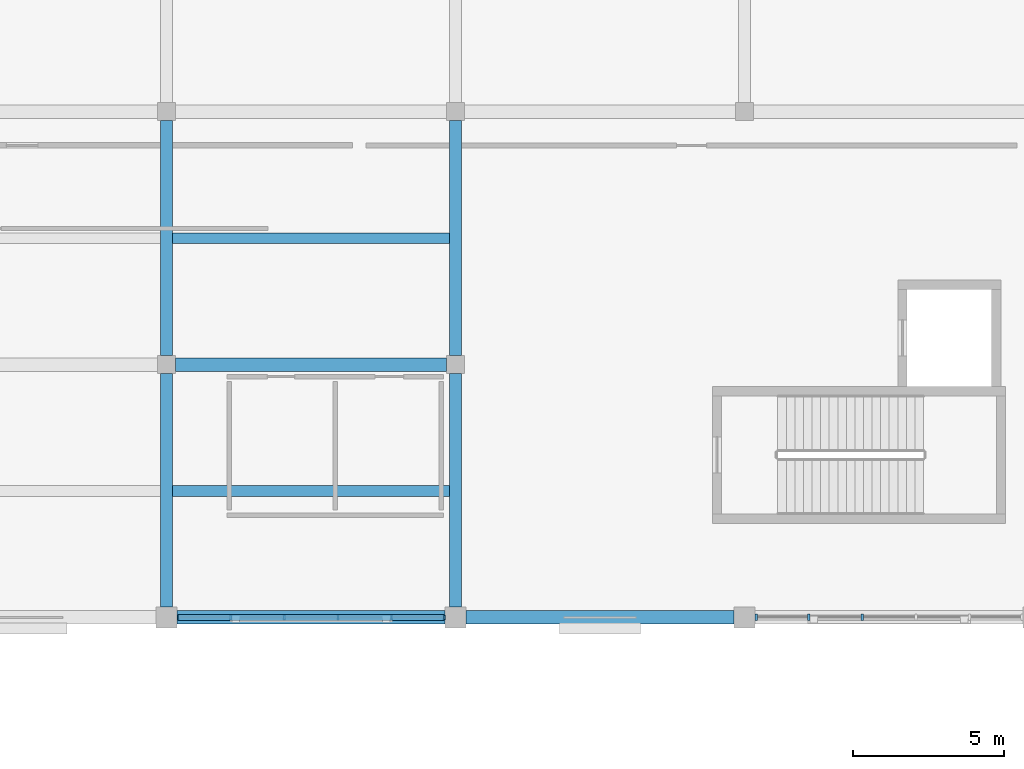
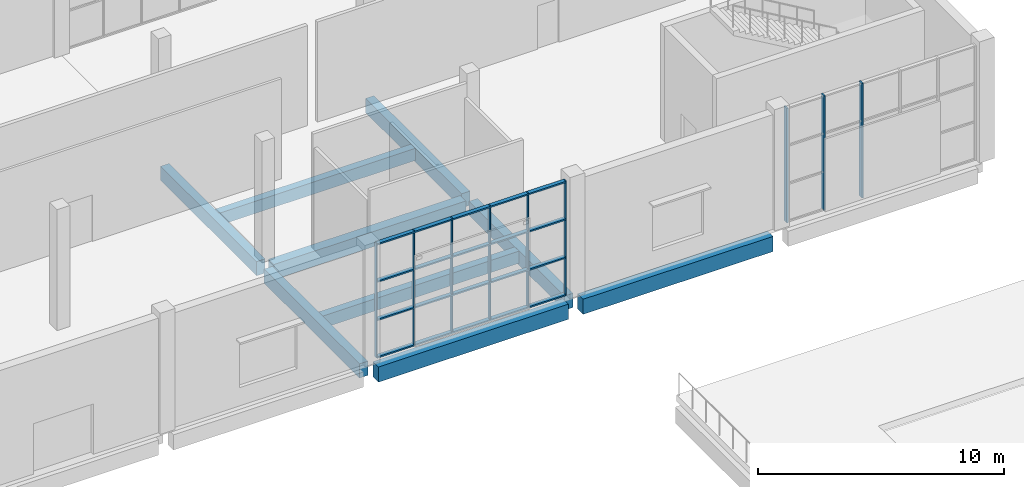
# One storey, part 32 of 84: 13 members, 9 beams, 2 elements without a shape of their own.
"""IFC4 building model written with IfcOpenShell, lengths in metres."""

from ifc_helpers import new_model, si_unit, direction, frame, origin, origin_2d, place, context, subcontext, project, spatial, rectangle, extrude, material, material_profile, profile_set, type_object, element, aggregate, save


model = new_model("IFC4")

# Units and contexts
model_context = context("Model", 3, precision=1e-05, world=origin(), true_north=direction((0.0, 1.0)))
body_context = subcontext(model_context, "Body", "Model", "MODEL_VIEW")
ifc_project = project(units=[si_unit("LENGTHUNIT", "METRE"), si_unit("AREAUNIT", "SQUARE_METRE"), si_unit("VOLUMEUNIT", "CUBIC_METRE"), si_unit("PLANEANGLEUNIT", "RADIAN"), si_unit("MASSUNIT", "GRAM", prefix="KILO")], contexts=[model_context])

# Site, building, storey
site_placement = place(None, origin())
site = spatial("IfcSite", under=ifc_project, at=site_placement, CompositionType="ELEMENT")
building_placement = place(site_placement, origin())
building = spatial("IfcBuilding", under=site, at=building_placement, Name="Shalvenor Court Art Gallery", CompositionType="ELEMENT")
storey_placement = place(building_placement, origin())
storey = spatial("IfcBuildingStorey", under=building, at=storey_placement, Name="L00", CompositionType="ELEMENT", Elevation=0.0)

# Beams
ifc_material_1 = material(Name="Concrete C40/50", Category="concrete")
ifc_material_profile_1 = material_profile(ifc_material_1, rectangle(XDim=0.449951171875, YDim=0.75, at=origin_2d()), Name="RC 450x750")
ifc_profile_set_1 = profile_set([ifc_material_profile_1], Name="Concrete C40/50")
beam_type_1 = type_object("IfcBeamType", Name="B-04", PredefinedType="BEAM", material=ifc_profile_set_1)
beam_1_placement = place(storey_placement, frame((96.35009765625, 97.199951171875, -0.715087890625), z_axis=(1.0, 0.0, 0.0), x_axis=(0.0, 1.0, 0.0)))
element("IfcBeam", 1, at=beam_1_placement, inside=storey, type_object=beam_type_1, Name="L00 Girder BM-L00-B-04-0243", PredefinedType="BEAM", context=body_context, shape_type="SweptSolid", body=[
    extrude(rectangle(XDim=0.449951171875, YDim=0.75, at=origin_2d()), origin(), (0.0, 0.0, 1.0), 8.89990234375),
])
beam_2_placement = place(storey_placement, frame((105.949951171875, 97.199951171875, -0.715087890625), z_axis=(1.0, 0.0, 0.0), x_axis=(0.0, 1.0, 0.0)))
element("IfcBeam", 2, at=beam_2_placement, inside=storey, type_object=beam_type_1, Name="L00 Girder BM-L00-B-04-0244", PredefinedType="BEAM", context=body_context, shape_type="SweptSolid", body=[
    extrude(rectangle(XDim=0.449951171875, YDim=0.75, at=origin_2d()), origin(), (0.0, 0.0, 1.0), 8.900146484375),
])
beam_3_placement = place(storey_placement, frame((96.300048828125, 105.60009765625, -0.715087890625), z_axis=(1.0, 0.0, 0.0), x_axis=(0.0, 1.0, 0.0)))
element("IfcBeam", 3, at=beam_3_placement, inside=storey, type_object=beam_type_1, Name="L00 Girder BM-L00-B-04-0259", PredefinedType="BEAM", context=body_context, shape_type="SweptSolid", body=[
    extrude(rectangle(XDim=0.449951171875, YDim=0.75, at=origin_2d()), origin(), (0.0, 0.0, 1.0), 9.0),
])
ifc_material_2 = material(Name="Concrete C40/50", Category="concrete")
ifc_material_profile_2 = material_profile(ifc_material_2, rectangle(XDim=0.39990234375, YDim=0.699951171875, at=origin_2d()), Name="RC 400x700")
ifc_profile_set_2 = profile_set([ifc_material_profile_2], Name="Concrete C40/50")
beam_type_2 = type_object("IfcBeamType", Name="B-05", PredefinedType="BEAM", material=ifc_profile_set_2)
beam_4_placement = place(storey_placement, frame((96.0, 97.550048828125, -0.68994140625), z_axis=(0.0, 1.0, 0.0), x_axis=(-1.0, 0.0, 0.0)))
element("IfcBeam", 4, at=beam_4_placement, inside=storey, type_object=beam_type_2, Name="L00 Girder BM-L00-B-05-0073", PredefinedType="BEAM", context=body_context, shape_type="SweptSolid", body=[
    extrude(rectangle(XDim=0.39990234375, YDim=0.699951171875, at=origin_2d()), origin(), (0.0, 0.0, 1.0), 7.75),
])
beam_5_placement = place(storey_placement, frame((96.0, 105.89990234375, -0.68994140625), z_axis=(0.0, 1.0, 0.0), x_axis=(-1.0, 0.0, 0.0)))
element("IfcBeam", 5, at=beam_5_placement, inside=storey, type_object=beam_type_2, Name="L00 Girder BM-L00-B-05-0074", PredefinedType="BEAM", context=body_context, shape_type="SweptSolid", body=[
    extrude(rectangle(XDim=0.39990234375, YDim=0.699951171875, at=origin_2d()), origin(), (0.0, 0.0, 1.0), 7.800048828125),
])
beam_6_placement = place(storey_placement, frame((105.60009765625, 97.550048828125, -0.68994140625), z_axis=(0.0, 1.0, 0.0), x_axis=(-1.0, 0.0, 0.0)))
element("IfcBeam", 6, at=beam_6_placement, inside=storey, type_object=beam_type_2, Name="L00 Girder BM-L00-B-05-0087", PredefinedType="BEAM", context=body_context, shape_type="SweptSolid", body=[
    extrude(rectangle(XDim=0.39990234375, YDim=0.699951171875, at=origin_2d()), origin(), (0.0, 0.0, 1.0), 7.75),
])
beam_7_placement = place(storey_placement, frame((105.60009765625, 105.89990234375, -0.68994140625), z_axis=(0.0, 1.0, 0.0), x_axis=(-1.0, 0.0, 0.0)))
element("IfcBeam", 7, at=beam_7_placement, inside=storey, type_object=beam_type_2, Name="L00 Girder BM-L00-B-05-0088", PredefinedType="BEAM", context=body_context, shape_type="SweptSolid", body=[
    extrude(rectangle(XDim=0.39990234375, YDim=0.699951171875, at=origin_2d()), origin(), (0.0, 0.0, 1.0), 7.800048828125),
])

# Curtain wall, members
ifc_material_3 = material(Name="Anodised aluminium and low-iron glass curtain wall", Category="aluminium")
curtain_wall_type_1 = type_object("IfcCurtainWallType", Name="CW-5x3-89-57-422", PredefinedType="USERDEFINED", material=ifc_material_3)
curtain_wall_1_placement = place(storey_placement, origin())
curtain_wall_1 = element("IfcCurtainWall", 8, at=curtain_wall_1_placement, inside=storey, type_object=curtain_wall_type_1, Name="L00 V2 Curtain Wall CW-L00-058", ObjectType="CURTAIN WALL", PredefinedType="USERDEFINED")
ifc_material_4 = material(Name="Anodised aluminium mullion", Category="aluminium")
ifc_material_profile_3 = material_profile(ifc_material_4, rectangle(XDim=0.074951171875, YDim=0.219970703125, at=origin_2d()), Name="CWM-04")
ifc_profile_set_3 = profile_set([ifc_material_profile_3], Name="Anodised aluminium mullion")
member_type_1 = type_object("IfcMemberType", Name="CWM-04", PredefinedType="MULLION", material=ifc_profile_set_3)
member_1_placement = place(storey_placement, frame((119.110107421875, 97.199951171875, 0.0), z_axis=(0.0, 0.0, 1.0), x_axis=(-1.0, 0.0, 0.0)))
member_1 = element("IfcMember", 9, at=member_1_placement, type_object=member_type_1, Name="CW-5x3-89-57-422 mullion 4", PredefinedType="MULLION", context=body_context, shape_type="SweptSolid", body=[
    extrude(rectangle(XDim=0.074951171875, YDim=0.219970703125, at=origin_2d()), origin(), (0.0, 0.0, 1.0), 5.679931640625),
])
member_2_placement = place(storey_placement, frame((117.330078125, 97.199951171875, 0.0), z_axis=(0.0, 0.0, 1.0), x_axis=(-1.0, 0.0, 0.0)))
member_2 = element("IfcMember", 10, at=member_2_placement, type_object=member_type_1, Name="CW-5x3-89-57-422 mullion 5", PredefinedType="MULLION", context=body_context, shape_type="SweptSolid", body=[
    extrude(rectangle(XDim=0.074951171875, YDim=0.219970703125, at=origin_2d()), origin(), (0.0, 0.0, 1.0), 5.679931640625),
])
member_3_placement = place(storey_placement, frame((115.58740234375, 97.199951171875, 0.0), z_axis=(0.0, 0.0, 1.0), x_axis=(-1.0, 0.0, 0.0)))
member_3 = element("IfcMember", 11, at=member_3_placement, type_object=member_type_1, Name="CW-5x3-89-57-422 mullion 6", PredefinedType="MULLION", context=body_context, shape_type="SweptSolid", body=[
    extrude(rectangle(XDim=0.074951171875, YDim=0.219970703125, at=origin_2d()), origin(), (0.0, 0.0, 1.0), 5.679931640625),
])
aggregate(curtain_wall_1, [member_1, member_2, member_3])

ifc_material_5 = material(Name="Anodised aluminium and low-iron glass curtain wall", Category="aluminium")
curtain_wall_type_2 = type_object("IfcCurtainWallType", Name="CW-5x3-89-57-642", PredefinedType="USERDEFINED", material=ifc_material_5)
curtain_wall_2_placement = place(storey_placement, origin())
curtain_wall_2 = element("IfcCurtainWall", 12, at=curtain_wall_2_placement, inside=storey, type_object=curtain_wall_type_2, Name="L00 V2 Curtain Wall CW-L00-059", ObjectType="CURTAIN WALL", PredefinedType="USERDEFINED")
ifc_material_6 = material(Name="Anodised aluminium mullion", Category="aluminium")
ifc_material_profile_4 = material_profile(ifc_material_6, rectangle(XDim=0.054931640625, YDim=0.139892578125, at=origin_2d()), Name="CWM-06")
ifc_profile_set_4 = profile_set([ifc_material_profile_4], Name="Anodised aluminium mullion")
member_type_2 = type_object("IfcMemberType", Name="CWM-06", PredefinedType="MULLION", material=ifc_profile_set_4)
member_4_placement = place(storey_placement, frame((105.222412109375, 97.199951171875, 0.0), z_axis=(0.0, 0.0, 1.0), x_axis=(-1.0, 0.0, 0.0)))
member_4 = element("IfcMember", 13, at=member_4_placement, type_object=member_type_2, Name="CW-5x3-89-57-642 mullion 1", PredefinedType="MULLION", context=body_context, shape_type="SweptSolid", body=[
    extrude(rectangle(XDim=0.054931640625, YDim=0.139892578125, at=origin_2d()), origin(), (0.0, 0.0, 1.0), 5.679931640625),
])
member_5_placement = place(storey_placement, frame((103.469970703125, 97.199951171875, 0.0), z_axis=(0.0, 0.0, 1.0), x_axis=(-1.0, 0.0, 0.0)))
member_5 = element("IfcMember", 14, at=member_5_placement, type_object=member_type_2, Name="CW-5x3-89-57-642 mullion 2", PredefinedType="MULLION", context=body_context, shape_type="SweptSolid", body=[
    extrude(rectangle(XDim=0.054931640625, YDim=0.139892578125, at=origin_2d()), origin(), (0.0, 0.0, 1.0), 5.679931640625),
])
member_6_placement = place(storey_placement, frame((101.68994140625, 97.199951171875, 0.0), z_axis=(0.0, 0.0, 1.0), x_axis=(-1.0, 0.0, 0.0)))
member_6 = element("IfcMember", 15, at=member_6_placement, type_object=member_type_2, Name="CW-5x3-89-57-642 mullion 3", PredefinedType="MULLION", context=body_context, shape_type="SweptSolid", body=[
    extrude(rectangle(XDim=0.054931640625, YDim=0.139892578125, at=origin_2d()), origin(), (0.0, 0.0, 1.0), 5.679931640625),
])
member_7_placement = place(storey_placement, frame((99.909912109375, 97.199951171875, 0.0), z_axis=(0.0, 0.0, 1.0), x_axis=(-1.0, 0.0, 0.0)))
member_7 = element("IfcMember", 16, at=member_7_placement, type_object=member_type_2, Name="CW-5x3-89-57-642 mullion 4", PredefinedType="MULLION", context=body_context, shape_type="SweptSolid", body=[
    extrude(rectangle(XDim=0.054931640625, YDim=0.139892578125, at=origin_2d()), origin(), (0.0, 0.0, 1.0), 5.679931640625),
])
member_8_placement = place(storey_placement, frame((98.1298828125, 97.199951171875, 0.0), z_axis=(0.0, 0.0, 1.0), x_axis=(-1.0, 0.0, 0.0)))
member_8 = element("IfcMember", 17, at=member_8_placement, type_object=member_type_2, Name="CW-5x3-89-57-642 mullion 5", PredefinedType="MULLION", context=body_context, shape_type="SweptSolid", body=[
    extrude(rectangle(XDim=0.054931640625, YDim=0.139892578125, at=origin_2d()), origin(), (0.0, 0.0, 1.0), 5.679931640625),
])
member_9_placement = place(storey_placement, frame((96.37744140625, 97.199951171875, 0.0), z_axis=(0.0, 0.0, 1.0), x_axis=(-1.0, 0.0, 0.0)))
member_9 = element("IfcMember", 18, at=member_9_placement, type_object=member_type_2, Name="CW-5x3-89-57-642 mullion 6", PredefinedType="MULLION", context=body_context, shape_type="SweptSolid", body=[
    extrude(rectangle(XDim=0.054931640625, YDim=0.139892578125, at=origin_2d()), origin(), (0.0, 0.0, 1.0), 5.679931640625),
])
ifc_material_7 = material(Name="Anodised aluminium transom", Category="aluminium")
ifc_material_profile_5 = material_profile(ifc_material_7, rectangle(XDim=0.18994140625, YDim=0.070068359375, at=origin_2d()), Name="CWT-04")
ifc_profile_set_5 = profile_set([ifc_material_profile_5], Name="Anodised aluminium transom")
member_type_3 = type_object("IfcMemberType", Name="CWT-04", PredefinedType="USERDEFINED", material=ifc_profile_set_5)
member_10_placement = place(storey_placement, frame((105.222412109375, 97.199951171875, 0.034912109375), z_axis=(-1.0, 0.0, 0.0), x_axis=(0.0, -1.0, 0.0)))
member_10 = element("IfcMember", 19, at=member_10_placement, type_object=member_type_3, Name="CW-5x3-89-57-642 transom 1", ObjectType="TRANSOM", PredefinedType="USERDEFINED", context=body_context, shape_type="SweptSolid", body=[
    extrude(rectangle(XDim=0.18994140625, YDim=0.070068359375, at=origin_2d()), origin(), (0.0, 0.0, 1.0), 8.844970703125),
])
member_11_placement = place(storey_placement, frame((105.222412109375, 97.199951171875, 1.893310546875), z_axis=(-1.0, 0.0, 0.0), x_axis=(0.0, -1.0, 0.0)))
member_11 = element("IfcMember", 20, at=member_11_placement, type_object=member_type_3, Name="CW-5x3-89-57-642 transom 2", ObjectType="TRANSOM", PredefinedType="USERDEFINED", context=body_context, shape_type="SweptSolid", body=[
    extrude(rectangle(XDim=0.18994140625, YDim=0.070068359375, at=origin_2d()), origin(), (0.0, 0.0, 1.0), 8.844970703125),
])
member_12_placement = place(storey_placement, frame((105.222412109375, 97.199951171875, 3.78662109375), z_axis=(-1.0, 0.0, 0.0), x_axis=(0.0, -1.0, 0.0)))
member_12 = element("IfcMember", 21, at=member_12_placement, type_object=member_type_3, Name="CW-5x3-89-57-642 transom 3", ObjectType="TRANSOM", PredefinedType="USERDEFINED", context=body_context, shape_type="SweptSolid", body=[
    extrude(rectangle(XDim=0.18994140625, YDim=0.070068359375, at=origin_2d()), origin(), (0.0, 0.0, 1.0), 8.844970703125),
])
member_13_placement = place(storey_placement, frame((105.222412109375, 97.199951171875, 5.64501953125), z_axis=(-1.0, 0.0, 0.0), x_axis=(0.0, -1.0, 0.0)))
member_13 = element("IfcMember", 22, at=member_13_placement, type_object=member_type_3, Name="CW-5x3-89-57-642 transom 4", ObjectType="TRANSOM", PredefinedType="USERDEFINED", context=body_context, shape_type="SweptSolid", body=[
    extrude(rectangle(XDim=0.18994140625, YDim=0.070068359375, at=origin_2d()), origin(), (0.0, 0.0, 1.0), 8.844970703125),
])
aggregate(curtain_wall_2, [member_4, member_5, member_6, member_7, member_8, member_9, member_10, member_11, member_12, member_13])

# Beams
ifc_material_8 = material(Name="Concrete C40/50", Category="concrete")
ifc_material_profile_6 = material_profile(ifc_material_8, rectangle(XDim=0.35009765625, YDim=0.60009765625, at=origin_2d()), Name="RC 350x600")
ifc_profile_set_6 = profile_set([ifc_material_profile_6], Name="Concrete C40/50")
beam_type_3 = type_object("IfcBeamType", Name="J-01", PredefinedType="JOIST", material=ifc_profile_set_6)
for number, where, z_axis, x_axis, name in (
    (23, (96.199951171875, 101.39990234375, -0.639892578125), (1.0, 0.0, 0.0), (0.0, 1.0, 0.0), "L00 Secondary Beam JST-L00-J-01-0324"),
    (24, (96.199951171875, 109.800048828125, -0.639892578125), (1.0, 0.0, 0.0), (0.0, 1.0, 0.0), "L00 Secondary Beam JST-L00-J-01-0325"),
):
    element("IfcBeam", number, at=place(storey_placement, frame(where, z_axis=z_axis, x_axis=x_axis)), inside=storey, type_object=beam_type_3, Name=name, PredefinedType="JOIST", context=body_context, shape_type="SweptSolid", body=[
        extrude(rectangle(XDim=0.35009765625, YDim=0.60009765625, at=origin_2d()), origin(), (0.0, 0.0, 1.0), 9.199951171875),
    ])

save(model, "model.ifc")
